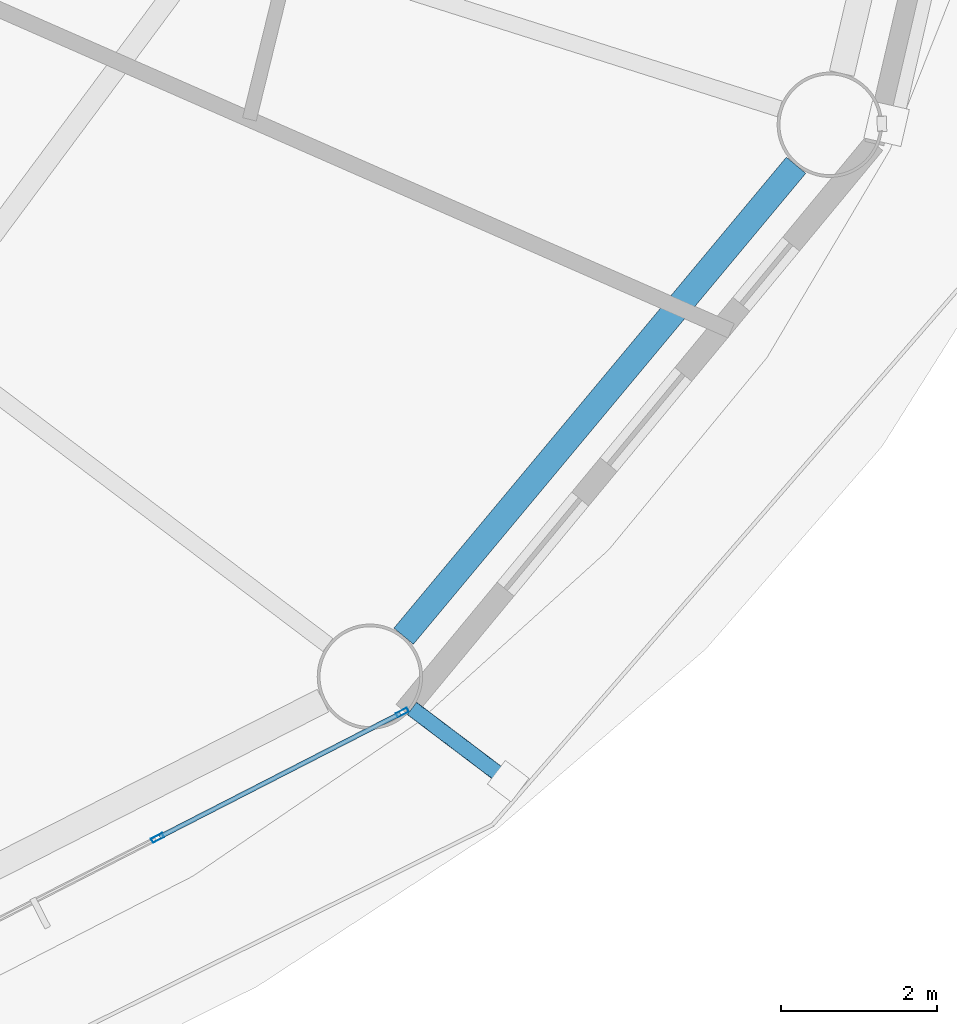
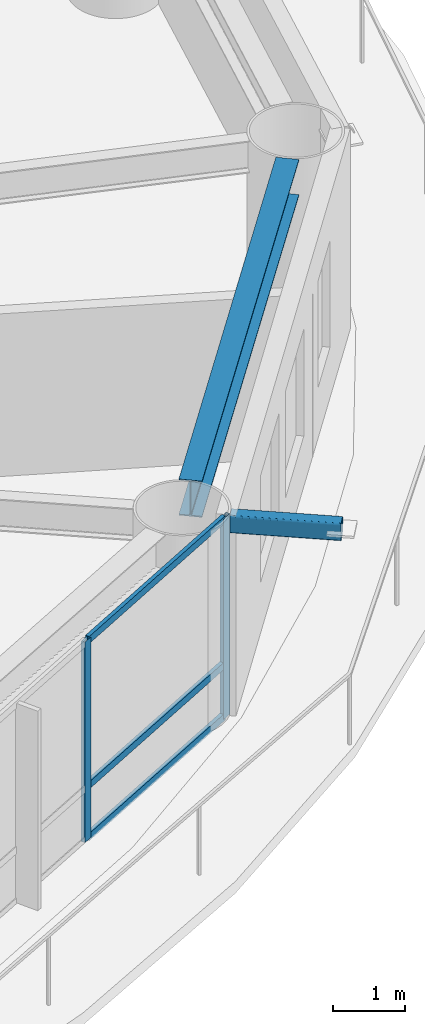
# One storey, part 6 of 24: 6 members, 1 beam, 1 element without a shape of its own.
"""IFC4 building model written with IfcOpenShell, lengths in metres."""

from ifc_helpers import new_model, si_unit, direction, frame, origin, origin_2d, place, context, subcontext, project, spatial, hollow_rectangle, i_section, extrude, material, layer, layer_set, material_profile, profile_set, type_object, element, aggregate, save


model = new_model("IFC4")

# Units and contexts
model_context = context("Model", 3, precision=1e-05, world=origin(), true_north=direction((0.0, 1.0)))
body_context = subcontext(model_context, "Body", "Model", "MODEL_VIEW")
ifc_project = project(units=[si_unit("LENGTHUNIT", "METRE"), si_unit("AREAUNIT", "SQUARE_METRE"), si_unit("VOLUMEUNIT", "CUBIC_METRE"), si_unit("PLANEANGLEUNIT", "RADIAN"), si_unit("MASSUNIT", "GRAM", prefix="KILO")], contexts=[model_context])

# Site, building, storey
site_placement = place(None, origin())
site = spatial("IfcSite", under=ifc_project, at=site_placement, CompositionType="ELEMENT")
building_placement = place(site_placement, origin())
building = spatial("IfcBuilding", under=site, at=building_placement, Name="Sarneth Arch Tower", CompositionType="ELEMENT")
storey_placement = place(building_placement, frame((0.0, 0.0, 87.60009765625)))
storey = spatial("IfcBuildingStorey", under=building, at=storey_placement, Name="L21", CompositionType="ELEMENT", Elevation=87.60009765625)

# Beam
ifc_material_1 = material(Name="Steel S355", Category="steel")
ifc_material_profile_1 = material_profile(ifc_material_1, i_section(OverallWidth=0.323974609375, OverallDepth=0.611083984375, WebThickness=0.0126953125, FlangeThickness=0.01904296875, FilletRadius=0.01904296875, at=origin_2d()), Name="W610x155")
ifc_profile_set_1 = profile_set([ifc_material_profile_1], Name="Steel S355")
beam_type = type_object("IfcBeamType", Name="BM-SPAN-610B", PredefinedType="SPANDREL", material=ifc_profile_set_1)
beam_placement = place(storey_placement, frame((68.829833984375, 27.103515625, 3.074462890625), z_axis=(0.640169116175, 0.768234015581, 0.0), x_axis=(-0.768234015581, 0.640169116175, 0.0)))
element("IfcBeam", 1, at=beam_placement, inside=storey, type_object=beam_type, Name="L21 Perimeter spandrel beam 15", PredefinedType="SPANDREL", context=body_context, shape_type="SweptSolid", body=[
    extrude(i_section(OverallWidth=0.323974609375, OverallDepth=0.611083984375, WebThickness=0.0126953125, FlangeThickness=0.01904296875, FilletRadius=0.01904296875, at=origin_2d()), origin(), (0.0, 0.0, 1.0), 7.856201171875),
])

# Curtain wall, members
ifc_material_2 = material(Name="Anodised aluminium Type AA25 and solar-control low-e laminated IGU", Category="aluminium")
ifc_layer = layer(ifc_material_2, 0.159912109375)
ifc_layer_set = layer_set([ifc_layer], Name="Anodised aluminium Type AA25 and solar-control low-e laminated IGU")
curtain_wall_type = type_object("IfcCurtainWallType", Name="CW-HOTEL-MID", PredefinedType="NOTDEFINED", material=ifc_layer_set)
curtain_wall_placement = place(storey_placement, origin())
curtain_wall = element("IfcCurtainWall", 2, at=curtain_wall_placement, inside=storey, type_object=curtain_wall_type, Name="L21 Unitised curtain wall facet 14", PredefinedType="NOTDEFINED")
ifc_material_3 = material(Name="Anodised Aluminium 6063-T6", Category="aluminium")
ifc_material_profile_2 = material_profile(ifc_material_3, hollow_rectangle(XDim=0.06005859375, YDim=0.159912109375, WallThickness=0.00390625, at=origin_2d()), Name="AL-MULL-160x60x4")
ifc_profile_set_2 = profile_set([ifc_material_profile_2], Name="Anodised Aluminium 6063-T6")
member_type_1 = type_object("IfcMemberType", Name="CW-MULLION", PredefinedType="MULLION", material=ifc_profile_set_2)
member_1_placement = place(storey_placement, frame((65.677001953125, 24.518798828125, 0.0), z_axis=(0.0, 0.0, 1.0), x_axis=(-0.456031365356, 0.889963703649, 0.0)))
member_1 = element("IfcMember", 3, at=member_1_placement, type_object=member_type_1, Name="CW-SYS-4 mullion 3", PredefinedType="MULLION", context=body_context, shape_type="SweptSolid", body=[
    extrude(hollow_rectangle(XDim=0.06005859375, YDim=0.159912109375, WallThickness=0.00390625, at=origin_2d()), origin(), (0.0, 0.0, 1.0), 3.3798828125),
])
member_2_placement = place(storey_placement, frame((68.813232421875, 26.1259765625, 0.0), z_axis=(0.0, 0.0, 1.0), x_axis=(-0.456031365356, 0.889963703649, 0.0)))
member_2 = element("IfcMember", 4, at=member_2_placement, type_object=member_type_1, Name="CW-SYS-4 mullion 4", PredefinedType="MULLION", context=body_context, shape_type="SweptSolid", body=[
    extrude(hollow_rectangle(XDim=0.06005859375, YDim=0.159912109375, WallThickness=0.00390625, at=origin_2d()), origin(), (0.0, 0.0, 1.0), 3.3798828125),
])
ifc_material_4 = material(Name="Anodised Aluminium 6063-T6", Category="aluminium")
ifc_material_profile_3 = material_profile(ifc_material_4, hollow_rectangle(XDim=0.06005859375, YDim=0.1201171875, WallThickness=0.00390625, at=origin_2d()), Name="AL-TRAN-120x60x4")
ifc_profile_set_3 = profile_set([ifc_material_profile_3], Name="Anodised Aluminium 6063-T6")
member_type_2 = type_object("IfcMemberType", Name="CW-TRANSOM", PredefinedType="USERDEFINED", material=ifc_profile_set_3)
member_3_placement = place(storey_placement, frame((65.703857421875, 24.532470703125, 0.02978515625), z_axis=(0.889942905184, 0.456071952122, 0.0), x_axis=(-0.456071952122, 0.889942905184, 0.0)))
member_3 = element("IfcMember", 5, at=member_3_placement, type_object=member_type_2, Name="CW-SYS-4 transom 3.1", ObjectType="TRANSOM", PredefinedType="USERDEFINED", context=body_context, shape_type="SweptSolid", body=[
    extrude(hollow_rectangle(XDim=0.06005859375, YDim=0.1201171875, WallThickness=0.00390625, at=origin_2d()), origin(), (0.0, 0.0, 1.0), 3.464111328125),
])
member_4_placement = place(storey_placement, frame((65.703857421875, 24.532470703125, 0.89990234375), z_axis=(0.889942905184, 0.456071952122, 0.0), x_axis=(-0.456071952122, 0.889942905184, 0.0)))
member_4 = element("IfcMember", 6, at=member_4_placement, type_object=member_type_2, Name="CW-SYS-4 transom 3.2", ObjectType="TRANSOM", PredefinedType="USERDEFINED", context=body_context, shape_type="SweptSolid", body=[
    extrude(hollow_rectangle(XDim=0.06005859375, YDim=0.1201171875, WallThickness=0.00390625, at=origin_2d()), origin(), (0.0, 0.0, 1.0), 3.464111328125),
])
member_5_placement = place(storey_placement, frame((65.703857421875, 24.532470703125, 3.349853515625), z_axis=(0.889942905184, 0.456071952122, 0.0), x_axis=(-0.456071952122, 0.889942905184, 0.0)))
member_5 = element("IfcMember", 7, at=member_5_placement, type_object=member_type_2, Name="CW-SYS-4 transom 3.3", ObjectType="TRANSOM", PredefinedType="USERDEFINED", context=body_context, shape_type="SweptSolid", body=[
    extrude(hollow_rectangle(XDim=0.06005859375, YDim=0.1201171875, WallThickness=0.00390625, at=origin_2d()), origin(), (0.0, 0.0, 1.0), 3.464111328125),
])
aggregate(curtain_wall, [member_1, member_2, member_3, member_4, member_5])

# Member
ifc_material_5 = material(Name="Steel S355", Category="steel")
ifc_material_profile_4 = material_profile(ifc_material_5, hollow_rectangle(XDim=0.199951171875, YDim=0.300048828125, WallThickness=0.012451171875, InnerFilletRadius=0.018798828125, OuterFilletRadius=0.03125, at=origin_2d()), Name="RHS300x200x12.5")
ifc_profile_set_4 = profile_set([ifc_material_profile_4], Name="Steel S355")
member_type_3 = type_object("IfcMemberType", Name="MEM-CANT-STRUT", PredefinedType="STRUT", material=ifc_profile_set_4)
member_6_placement = place(storey_placement, frame((68.936279296875, 26.177978515625, 3.219970703125), z_axis=(0.797796427049, -0.602926911812, 0.0), x_axis=(0.602926911812, 0.797796427049, 0.0)))
element("IfcMember", 8, at=member_6_placement, inside=storey, type_object=member_type_3, Name="L21 Balcony cantilever bracket 15", PredefinedType="STRUT", context=body_context, shape_type="SweptSolid", body=[
    extrude(hollow_rectangle(XDim=0.199951171875, YDim=0.300048828125, WallThickness=0.012451171875, InnerFilletRadius=0.018798828125, OuterFilletRadius=0.03125, at=origin_2d()), origin(), (0.0, 0.0, 1.0), 1.5458984375),
])

save(model, "model.ifc")
